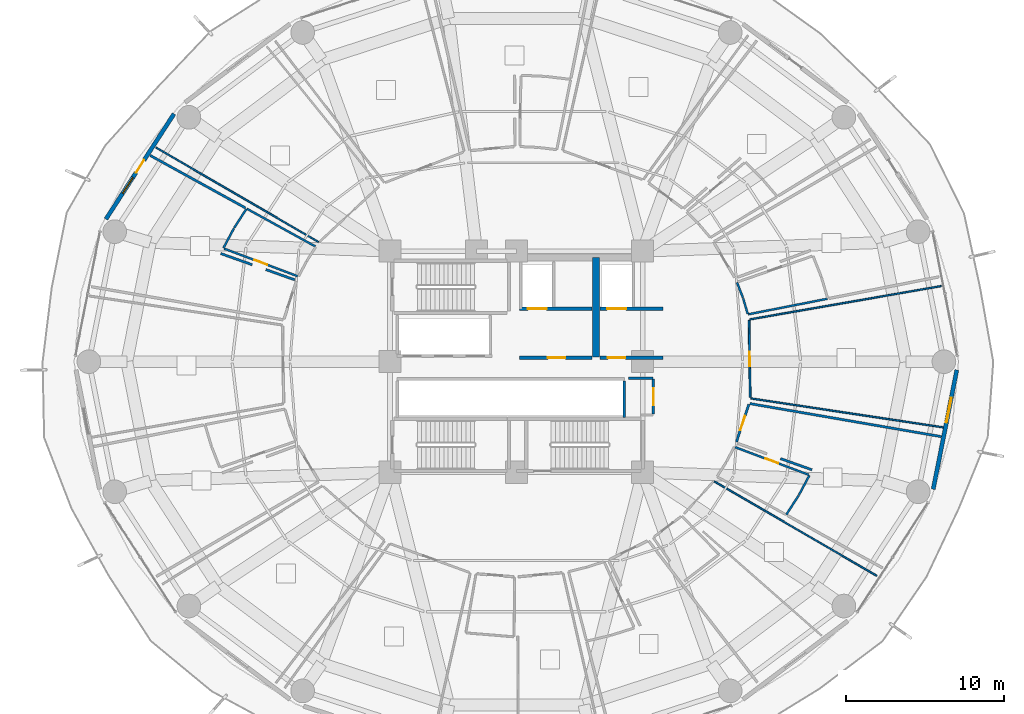
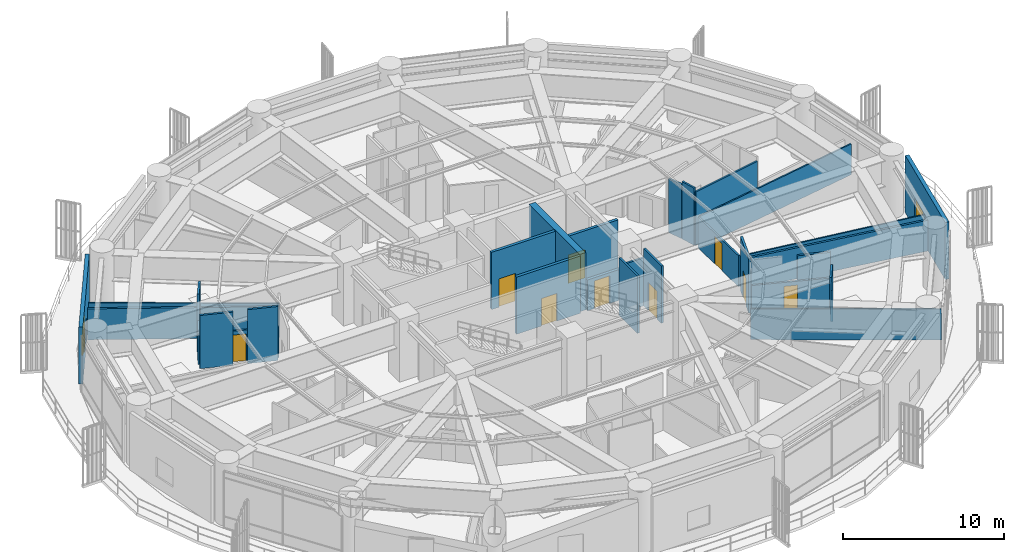
# One storey, part 23 of 31: 31 walls, 10 doors, 2 windows, 12 openings.
"""IFC4 building model written with IfcOpenShell, lengths in metres."""

from ifc_helpers import new_model, si_unit, direction, frame, frame_2d, origin, place, context, subcontext, project, spatial, rectangle, extrude, material, layer, layer_set, type_object, element, fill, save


model = new_model("IFC4")

# Units and contexts
model_context = context("Model", 3, precision=1e-05, world=origin(), true_north=direction((0.0, 1.0)))
body_context = subcontext(model_context, "Body", "Model", "MODEL_VIEW")
ifc_project = project(units=[si_unit("LENGTHUNIT", "METRE"), si_unit("AREAUNIT", "SQUARE_METRE"), si_unit("VOLUMEUNIT", "CUBIC_METRE"), si_unit("PLANEANGLEUNIT", "RADIAN"), si_unit("MASSUNIT", "GRAM", prefix="KILO")], contexts=[model_context])

# Site, building, storey
site_placement = place(None, origin())
site = spatial("IfcSite", under=ifc_project, at=site_placement, CompositionType="ELEMENT")
building_placement = place(site_placement, origin())
building = spatial("IfcBuilding", under=site, at=building_placement, Name="Kelanora Arch Commons", CompositionType="ELEMENT")
storey_placement = place(building_placement, frame((0.0, 0.0, 67.5)))
storey = spatial("IfcBuildingStorey", under=building, at=storey_placement, Name="L17", CompositionType="ELEMENT", Elevation=67.5)

# Wall
ifc_material_1 = material(Name="Autoclaved aerated concrete blockwork with fire plaster", Category="masonry")
ifc_layer_1 = layer(ifc_material_1, 0.14990234375)
ifc_layer_set_1 = layer_set([ifc_layer_1], Name="Autoclaved aerated concrete blockwork with fire plaster")
wall_type_1 = type_object("IfcWallType", Name="W-COMP-150", PredefinedType="PARTITIONING", material=ifc_layer_set_1)
wall_1_placement = place(storey_placement, frame((80.840087890625, 54.47998046875, 0.0), z_axis=(0.0, 0.0, 1.0), x_axis=(0.0, 1.0, 0.0)))
element("IfcWall", 1, at=wall_1_placement, inside=storey, type_object=wall_type_1, Name="South Lift Bank East Wall L17", PredefinedType="PARTITIONING", context=body_context, shape_type="SweptSolid", body=[
    extrude(rectangle(XDim=2.2900390625, YDim=0.14990234375, at=frame_2d((1.14501953125, 0.0))), origin(), (0.0, 0.0, 1.0), 4.35009765625),
])

# Wall, opening, door
wall_2_placement = place(storey_placement, frame((82.679931640625, 54.679931640625, 0.0), z_axis=(0.0, 0.0, 1.0), x_axis=(0.0, 1.0, 0.0)))
wall_2 = element("IfcWall", 2, at=wall_2_placement, inside=storey, type_object=wall_type_1, Name="Core Housekeeping Store L17 Entry Partition", PredefinedType="PARTITIONING", context=body_context, shape_type="SweptSolid", body=[
    extrude(rectangle(XDim=2.2099609375, YDim=0.14990234375, at=frame_2d((1.10498046875, 0.0))), origin(), (0.0, 0.0, 1.0), 4.35009765625),
])
opening_1_placement = place(wall_2_placement, frame((0.56494140625, 0.0, 0.0)))
opening_1 = element("IfcOpeningElement", 3, at=opening_1_placement, cuts=wall_2, Name="Opening D-PLT1", PredefinedType="OPENING", context=body_context, shape_type="SweptSolid", body=[
    extrude(rectangle(XDim=1.080078125, YDim=2.10009765625, at=frame_2d((0.5400390625, 1.050048828125))), frame((0.0, 0.0849609375, 0.0), z_axis=(0.0, -1.0, 0.0), x_axis=(1.0, 0.0, 0.0)), (0.0, 0.0, 1.0), 0.169921875),
])
ifc_material_2 = material(Name="Galvanised steel plant and riser fire door", Category="steel")
door_type_1 = type_object("IfcDoorType", Name="D-PLT-110", OperationType="NOTDEFINED", PredefinedType="DOOR", material=ifc_material_2)
door_1_placement = place(opening_1_placement, origin())
door_1 = element("IfcDoor", 4, at=door_1_placement, inside=storey, type_object=door_type_1, Name="Core Housekeeping Store L17 Door", OperationType="SINGLE_SWING_LEFT", OverallHeight=2.10009765625, OverallWidth=1.080078125, PredefinedType="DOOR", context=body_context, shape_type="SweptSolid", body=[
    extrude(rectangle(XDim=1.080078125, YDim=2.10009765625, at=frame_2d((0.5400390625, 1.050048828125))), frame((0.0, 0.02490234375, 0.0), z_axis=(0.0, -1.0, 0.0), x_axis=(1.0, 0.0, 0.0)), (0.0, 0.0, 1.0), 0.050048828125),
])
fill(opening_1, door_1)

wall_3_placement = place(storey_placement, frame((87.937744140625, 52.9150390625, 0.0), z_axis=(0.0, 0.0, 1.0), x_axis=(0.313977919329, 0.949430285052, 0.0)))
wall_3 = element("IfcWall", 5, at=wall_3_placement, inside=storey, type_object=wall_type_1, Name="Co-Living Studio L17-15 Entry Partition", PredefinedType="PARTITIONING", context=body_context, shape_type="SweptSolid", body=[
    extrude(rectangle(XDim=2.507568359375, YDim=0.14990234375, at=frame_2d((1.25390625, 0.0))), origin(), (0.0, 0.0, 1.0), 4.10498046875),
])
opening_2_placement = place(wall_3_placement, frame((0.779052734375, 0.0, 0.0)))
opening_2 = element("IfcOpeningElement", 6, at=opening_2_placement, cuts=wall_3, Name="Opening D-CLU1", PredefinedType="OPENING", context=body_context, shape_type="SweptSolid", body=[
    extrude(rectangle(XDim=0.949951171875, YDim=2.080078125, at=frame_2d((0.47509765625, 1.0400390625))), frame((0.0, 0.0849609375, 0.0), z_axis=(0.0, -1.0, 0.0), x_axis=(1.0, 0.0, 0.0)), (0.0, 0.0, 1.0), 0.169921875),
])
ifc_material_3 = material(Name="Solid-core acoustic timber cluster entry fire door", Category="wood")
door_type_2 = type_object("IfcDoorType", Name="D-CLU-95", OperationType="NOTDEFINED", PredefinedType="DOOR", material=ifc_material_3)
door_2_placement = place(opening_2_placement, origin())
door_2 = element("IfcDoor", 7, at=door_2_placement, inside=storey, type_object=door_type_2, Name="Co-Living Studio L17-15 Door", OperationType="SINGLE_SWING_LEFT", OverallHeight=2.080078125, OverallWidth=0.949951171875, PredefinedType="DOOR", context=body_context, shape_type="SweptSolid", body=[
    extrude(rectangle(XDim=0.949951171875, YDim=2.080078125, at=frame_2d((0.47509765625, 1.0400390625))), frame((0.0, 0.02490234375, 0.0), z_axis=(0.0, -1.0, 0.0), x_axis=(1.0, 0.0, 0.0)), (0.0, 0.0, 1.0), 0.050048828125),
])
fill(opening_2, door_2)

# Walls
wall_4_placement = place(storey_placement, frame((82.639892578125, 56.949951171875, 0.0), z_axis=(0.0, 0.0, 1.0), x_axis=(-1.0, 0.0, 0.0)))
element("IfcWall", 8, at=wall_4_placement, inside=storey, type_object=wall_type_1, Name="Core Housekeeping Store L17 Enclosure Partition 3", PredefinedType="PARTITIONING", context=body_context, shape_type="SweptSolid", body=[
    extrude(rectangle(XDim=1.5498046875, YDim=0.14990234375, at=frame_2d((0.77490234375, 0.0))), origin(), (0.0, 0.0, 1.0), 3.64501953125),
])
wall_5_placement = place(storey_placement, frame((50.806884765625, 71.061767578125, 0.0), z_axis=(0.0, 0.0, 1.0), x_axis=(0.875868518132, -0.482549830531, 0.0)))
element("IfcWall", 9, at=wall_5_placement, inside=storey, type_object=wall_type_1, Name="Co-Living Studio L17-07 Enclosure Partition 5", PredefinedType="PARTITIONING", context=body_context, shape_type="SweptSolid", body=[
    extrude(rectangle(XDim=6.889404296875, YDim=0.14990234375, at=frame_2d((3.44482421875, 0.0))), origin(), (0.0, 0.0, 1.0), 2.344970703125),
])
wall_6_placement = place(storey_placement, frame((55.275634765625, 64.8486328125, 0.0), z_axis=(0.0, 0.0, 1.0), x_axis=(0.942346688621, -0.334638190357, 0.0)))
element("IfcWall", 10, at=wall_6_placement, inside=storey, type_object=wall_type_1, Name="Co-Living Studio L17-07 Enclosure Partition 7", PredefinedType="PARTITIONING", context=body_context, shape_type="SweptSolid", body=[
    extrude(rectangle(XDim=2.113525390625, YDim=0.14990234375, at=frame_2d((1.056640625, 0.0))), origin(), (0.0, 0.0, 1.0), 4.044921875),
])
wall_7_placement = place(storey_placement, frame((58.134521484375, 63.833251953125, 0.0), z_axis=(0.0, 0.0, 1.0), x_axis=(0.942335197554, -0.334670547629, 0.0)))
element("IfcWall", 11, at=wall_7_placement, inside=storey, type_object=wall_type_1, Name="Co-Living Studio L17-07 Enclosure Partition 7", PredefinedType="PARTITIONING", context=body_context, shape_type="SweptSolid", body=[
    extrude(rectangle(XDim=1.931640625, YDim=0.14990234375, at=frame_2d((0.9658203125, 0.0))), origin(), (0.0, 0.0, 1.0), 4.10498046875),
])
wall_8_placement = place(storey_placement, frame((88.783447265625, 55.34619140625, 0.0), z_axis=(0.0, 0.0, 1.0), x_axis=(0.985427357527, -0.170096804898, 0.0)))
element("IfcWall", 12, at=wall_8_placement, inside=storey, type_object=wall_type_1, Name="Co-Living Studio L17-15 Enclosure Partition 2", PredefinedType="PARTITIONING", context=body_context, shape_type="SweptSolid", body=[
    extrude(rectangle(XDim=12.3134765625, YDim=0.14990234375, at=frame_2d((6.15673828125, 0.0))), origin(), (0.0, 0.0, 1.0), 2.344970703125),
])
wall_9_placement = place(storey_placement, frame((92.724365234375, 51.1513671875, 0.0), z_axis=(0.0, 0.0, 1.0), x_axis=(-0.942346688621, 0.334638190357, 0.0)))
element("IfcWall", 13, at=wall_9_placement, inside=storey, type_object=wall_type_1, Name="Co-Living Studio L17-15 Enclosure Partition 7", PredefinedType="PARTITIONING", context=body_context, shape_type="SweptSolid", body=[
    extrude(rectangle(XDim=2.113525390625, YDim=0.14990234375, at=frame_2d((1.056640625, 0.0))), origin(), (0.0, 0.0, 1.0), 4.044921875),
])
ifc_material_4 = material(Name="Concrete C60/75", Category="concrete")
ifc_layer_2 = layer(ifc_material_4, 0.449951171875)
ifc_layer_set_2 = layer_set([ifc_layer_2], Name="Concrete C60/75")
wall_type_2 = type_object("IfcWallType", Name="W-CORE-450", PredefinedType="SHEAR", material=ifc_layer_set_2)
wall_10_placement = place(storey_placement, frame((79.050048828125, 58.300048828125, 0.0), z_axis=(0.0, 0.0, 1.0), x_axis=(0.0, 1.0, 0.0)))
element("IfcWall", 14, at=wall_10_placement, inside=storey, type_object=wall_type_2, Name="Core Shear Spine L17-CE-N", PredefinedType="SHEAR", context=body_context, shape_type="SweptSolid", body=[
    extrude(rectangle(XDim=6.300048828125, YDim=0.449951171875, at=frame_2d((3.14990234375, 0.0))), origin(), (0.0, 0.0, 1.0), 4.360107421875),
])

# Wall, openings, door, window
ifc_material_5 = material(Name="Precast concrete C40/50 with terracotta rainscreen", Category="masonry")
ifc_layer_3 = layer(ifc_material_5, 0.260009765625)
ifc_layer_set_3 = layer_set([ifc_layer_3], Name="Precast concrete C40/50 with terracotta rainscreen")
wall_type_3 = type_object("IfcWallType", Name="W-EXT-TC", PredefinedType="SOLIDWALL", material=ifc_layer_set_3)
wall_11_placement = place(storey_placement, frame((52.310791015625, 73.698486328125, 0.0), z_axis=(0.0, 0.0, 1.0), x_axis=(-0.543005114258, -0.839729388488, 0.0)))
wall_11 = element("IfcWall", 15, at=wall_11_placement, inside=storey, type_object=wall_type_3, Name="Terracotta Exterior Wall L17-B07", PredefinedType="SOLIDWALL", context=body_context, shape_type="SweptSolid", body=[
    extrude(rectangle(XDim=7.9375, YDim=0.260009765625, at=frame_2d((3.96875, 0.0))), origin(), (0.0, 0.0, 1.0), 4.344970703125),
])
opening_3_placement = place(wall_11_placement, frame((3.493896484375, 0.0, 0.0)))
opening_3 = element("IfcOpeningElement", 16, at=opening_3_placement, cuts=wall_11, Name="Opening DB-01", PredefinedType="OPENING", context=body_context, shape_type="SweptSolid", body=[
    extrude(rectangle(XDim=0.949951171875, YDim=2.10009765625, at=frame_2d((0.47509765625, 1.050048828125))), frame((0.0, 0.14013671875, 0.0), z_axis=(0.0, -1.0, 0.0), x_axis=(1.0, 0.0, 0.0)), (0.0, 0.0, 1.0), 0.280029296875),
])
opening_4_placement = place(wall_11_placement, frame((4.7939453125, 0.0, 0.85009765625)))
opening_4 = element("IfcOpeningElement", 17, at=opening_4_placement, cuts=wall_11, Name="Opening WN-02", PredefinedType="OPENING", context=body_context, shape_type="SweptSolid", body=[
    extrude(rectangle(XDim=1.199951171875, YDim=1.449951171875, at=frame_2d((0.60009765625, 0.72509765625))), frame((0.0, 0.14013671875, 0.0), z_axis=(0.0, -1.0, 0.0), x_axis=(1.0, 0.0, 0.0)), (0.0, 0.0, 1.0), 0.280029296875),
])
ifc_material_6 = material(Name="Terracotta-aluminium thermally broken glazed balcony door", Category="masonry")
door_type_3 = type_object("IfcDoorType", Name="D-BAL-10", OperationType="NOTDEFINED", PredefinedType="DOOR", material=ifc_material_6)
door_3_placement = place(opening_3_placement, frame((0.949951171875, 0.0, 0.0), z_axis=(0.0, 0.0, 1.0), x_axis=(-1.0, 0.0, 0.0)))
door_3 = element("IfcDoor", 18, at=door_3_placement, inside=storey, type_object=door_type_3, Name="Wave Balcony Door L17-B07", OperationType="SINGLE_SWING_LEFT", OverallHeight=2.10009765625, OverallWidth=0.949951171875, PredefinedType="DOOR", context=body_context, shape_type="SweptSolid", body=[
    extrude(rectangle(XDim=0.949951171875, YDim=2.10009765625, at=frame_2d((0.47509765625, 1.050048828125))), frame((0.0, 0.02490234375, 0.0), z_axis=(0.0, -1.0, 0.0), x_axis=(1.0, 0.0, 0.0)), (0.0, 0.0, 1.0), 0.050048828125),
])
fill(opening_3, door_3)
ifc_material_7 = material(Name="Terracotta-anodised aluminium frame with operable awning sash", Category="masonry")
window_type_1 = type_object("IfcWindowType", Name="WIN-CL-12", PartitioningType="SINGLE_PANEL", PredefinedType="WINDOW", material=ifc_material_7)
window_1_placement = place(opening_4_placement, origin())
window_1 = element("IfcWindow", 19, at=window_1_placement, inside=storey, type_object=window_type_1, Name="Co-Living Operable Window L17-B07", OverallHeight=1.449951171875, OverallWidth=1.199951171875, PartitioningType="SINGLE_PANEL", PredefinedType="WINDOW", context=body_context, shape_type="SweptSolid", body=[
    extrude(rectangle(XDim=1.199951171875, YDim=1.449951171875, at=frame_2d((0.60009765625, 0.72509765625))), frame((0.0, 0.030029296875, 0.0), z_axis=(0.0, -1.0, 0.0), x_axis=(1.0, 0.0, 0.0)), (0.0, 0.0, 1.0), 0.06005859375),
])
fill(opening_4, window_1)

# Wall, opening, window
wall_12_placement = place(storey_placement, frame((100.404296875, 49.919921875, 0.0), z_axis=(0.0, 0.0, 1.0), x_axis=(0.193726159581, 0.98105564322, 0.0)))
wall_12 = element("IfcWall", 20, at=wall_12_placement, inside=storey, type_object=wall_type_3, Name="Terracotta Exterior Wall L17-B17", PredefinedType="SOLIDWALL", context=body_context, shape_type="SweptSolid", body=[
    extrude(rectangle(XDim=7.70263671875, YDim=0.260009765625, at=frame_2d((3.851318359375, 0.0))), origin(), (0.0, 0.0, 1.0), 4.344970703125),
])
opening_5_placement = place(wall_12_placement, frame((4.31103515625, 0.0, 0.85009765625)))
opening_5 = element("IfcOpeningElement", 21, at=opening_5_placement, cuts=wall_12, Name="Opening WN-01", PredefinedType="OPENING", context=body_context, shape_type="SweptSolid", body=[
    extrude(rectangle(XDim=1.60009765625, YDim=1.449951171875, at=frame_2d((0.800048828125, 0.72509765625))), frame((0.0, 0.14013671875, 0.0), z_axis=(0.0, -1.0, 0.0), x_axis=(1.0, 0.0, 0.0)), (0.0, 0.0, 1.0), 0.280029296875),
])
ifc_material_8 = material(Name="Terracotta-anodised aluminium frame with operable low-E glazing", Category="masonry")
window_type_2 = type_object("IfcWindowType", Name="WIN-CL-18", PartitioningType="DOUBLE_PANEL_VERTICAL", PredefinedType="WINDOW", material=ifc_material_8)
window_2_placement = place(opening_5_placement, origin())
window_2 = element("IfcWindow", 22, at=window_2_placement, inside=storey, type_object=window_type_2, Name="Co-Living Operable Window L17-B17", OverallHeight=1.449951171875, OverallWidth=1.60009765625, PartitioningType="SINGLE_PANEL", PredefinedType="WINDOW", context=body_context, shape_type="SweptSolid", body=[
    extrude(rectangle(XDim=1.60009765625, YDim=1.449951171875, at=frame_2d((0.800048828125, 0.72509765625))), frame((0.0, 0.030029296875, 0.0), z_axis=(0.0, -1.0, 0.0), x_axis=(1.0, 0.0, 0.0)), (0.0, 0.0, 1.0), 0.06005859375),
])
fill(opening_5, window_2)

# Wall, opening, door
ifc_material_9 = material(Name="Concrete C40/50", Category="concrete")
ifc_layer_4 = layer(ifc_material_9, 0.199951171875)
ifc_layer_set_4 = layer_set([ifc_layer_4], Name="Concrete C40/50")
wall_type_4 = type_object("IfcWallType", Name="W-FFL-200", PredefinedType="SOLIDWALL", material=ifc_layer_set_4)
wall_13_placement = place(storey_placement, frame((74.199951171875, 61.35009765625, 0.0), z_axis=(0.0, 0.0, 1.0), x_axis=(1.0, 0.0, 0.0)))
wall_13 = element("IfcWall", 23, at=wall_13_placement, inside=storey, type_object=wall_type_4, Name="Firefighting Lift 1 Shaft Front L17", PredefinedType="SOLIDWALL", context=body_context, shape_type="SweptSolid", body=[
    extrude(rectangle(XDim=4.60009765625, YDim=0.199951171875, at=frame_2d((2.300048828125, 0.0))), origin(), (0.0, 0.0, 1.0), 4.35009765625),
])
opening_6_placement = place(wall_13_placement, frame((0.52001953125, 0.0, 0.0)))
opening_6 = element("IfcOpeningElement", 24, at=opening_6_placement, cuts=wall_13, Name="Opening LD-FF", PredefinedType="OPENING", context=body_context, shape_type="SweptSolid", body=[
    extrude(rectangle(XDim=1.199951171875, YDim=2.14990234375, at=frame_2d((0.60009765625, 1.074951171875))), frame((0.0, 0.10986328125, 0.0), z_axis=(0.0, -1.0, 0.0), x_axis=(1.0, 0.0, 0.0)), (0.0, 0.0, 1.0), 0.219970703125),
])
ifc_material_10 = material(Name="Fire-rated firefighters lift sliding landing door")
door_type_4 = type_object("IfcDoorType", Name="D-LIFT-FF", OperationType="NOTDEFINED", PredefinedType="DOOR", material=ifc_material_10)
door_4_placement = place(opening_6_placement, origin())
door_4 = element("IfcDoor", 25, at=door_4_placement, inside=storey, type_object=door_type_4, Name="Firefighting Lift LF-FF1 Landing Door L17", OperationType="DOUBLE_DOOR_SLIDING", OverallHeight=2.14990234375, OverallWidth=1.199951171875, PredefinedType="DOOR", context=body_context, shape_type="SweptSolid", body=[
    extrude(rectangle(XDim=1.199951171875, YDim=2.14990234375, at=frame_2d((0.60009765625, 1.074951171875))), frame((0.0, 0.02490234375, 0.0), z_axis=(0.0, -1.0, 0.0), x_axis=(1.0, 0.0, 0.0)), (0.0, 0.0, 1.0), 0.050048828125),
])
fill(opening_6, door_4)

wall_14_placement = place(storey_placement, frame((79.300048828125, 61.35009765625, 0.0), z_axis=(0.0, 0.0, 1.0), x_axis=(1.0, 0.0, 0.0)))
wall_14 = element("IfcWall", 26, at=wall_14_placement, inside=storey, type_object=wall_type_4, Name="Firefighting Lift 2 Shaft Front L17", PredefinedType="SOLIDWALL", context=body_context, shape_type="SweptSolid", body=[
    extrude(rectangle(XDim=4.0, YDim=0.199951171875, at=frame_2d((2.0, 0.0))), origin(), (0.0, 0.0, 1.0), 3.64501953125),
])
opening_7_placement = place(wall_14_placement, frame((0.449951171875, 0.0, 0.0)))
opening_7 = element("IfcOpeningElement", 27, at=opening_7_placement, cuts=wall_14, Name="Opening LD-FF", PredefinedType="OPENING", context=body_context, shape_type="SweptSolid", body=[
    extrude(rectangle(XDim=1.199951171875, YDim=2.14990234375, at=frame_2d((0.60009765625, 1.074951171875))), frame((0.0, 0.10986328125, 0.0), z_axis=(0.0, -1.0, 0.0), x_axis=(1.0, 0.0, 0.0)), (0.0, 0.0, 1.0), 0.219970703125),
])
door_5_placement = place(opening_7_placement, origin())
door_5 = element("IfcDoor", 28, at=door_5_placement, inside=storey, type_object=door_type_4, Name="Firefighting Lift LF-FF2 Landing Door L17", OperationType="DOUBLE_DOOR_SLIDING", OverallHeight=2.14990234375, OverallWidth=1.199951171875, PredefinedType="DOOR", context=body_context, shape_type="SweptSolid", body=[
    extrude(rectangle(XDim=1.199951171875, YDim=2.14990234375, at=frame_2d((0.60009765625, 1.074951171875))), frame((0.0, 0.02490234375, 0.0), z_axis=(0.0, -1.0, 0.0), x_axis=(1.0, 0.0, 0.0)), (0.0, 0.0, 1.0), 0.050048828125),
])
fill(opening_7, door_5)

wall_15_placement = place(storey_placement, frame((74.199951171875, 58.25, 0.0), z_axis=(0.0, 0.0, 1.0), x_axis=(1.0, 0.0, 0.0)))
wall_15 = element("IfcWall", 29, at=wall_15_placement, inside=storey, type_object=wall_type_4, Name="Firefighting Lobby 1 Enclosure Wall L17", PredefinedType="SOLIDWALL", context=body_context, shape_type="SweptSolid", body=[
    extrude(rectangle(XDim=4.60009765625, YDim=0.199951171875, at=frame_2d((2.300048828125, 0.0))), origin(), (0.0, 0.0, 1.0), 4.35009765625),
])
opening_8_placement = place(wall_15_placement, frame((1.800048828125, 0.0, 0.0)))
opening_8 = element("IfcOpeningElement", 30, at=opening_8_placement, cuts=wall_15, Name="Opening D-FFL1", PredefinedType="OPENING", context=body_context, shape_type="SweptSolid", body=[
    extrude(rectangle(XDim=1.10009765625, YDim=2.10009765625, at=frame_2d((0.550048828125, 1.050048828125))), frame((0.0, 0.10986328125, 0.0), z_axis=(0.0, -1.0, 0.0), x_axis=(1.0, 0.0, 0.0)), (0.0, 0.0, 1.0), 0.219970703125),
])
ifc_material_11 = material(Name="Smoke-sealed firefighting lobby fire door")
door_type_5 = type_object("IfcDoorType", Name="D-FFL-110", OperationType="NOTDEFINED", PredefinedType="DOOR", material=ifc_material_11)
door_6_placement = place(opening_8_placement, frame((1.10009765625, 0.0, 0.0), z_axis=(0.0, 0.0, 1.0), x_axis=(-1.0, 0.0, 0.0)))
door_6 = element("IfcDoor", 31, at=door_6_placement, inside=storey, type_object=door_type_5, Name="Firefighting Lobby 1 Door L17", OperationType="SINGLE_SWING_LEFT", OverallHeight=2.10009765625, OverallWidth=1.10009765625, PredefinedType="DOOR", context=body_context, shape_type="SweptSolid", body=[
    extrude(rectangle(XDim=1.10009765625, YDim=2.10009765625, at=frame_2d((0.550048828125, 1.050048828125))), frame((0.0, 0.02490234375, 0.0), z_axis=(0.0, -1.0, 0.0), x_axis=(1.0, 0.0, 0.0)), (0.0, 0.0, 1.0), 0.050048828125),
])
fill(opening_8, door_6)

wall_16_placement = place(storey_placement, frame((79.300048828125, 58.25, 0.0), z_axis=(0.0, 0.0, 1.0), x_axis=(1.0, 0.0, 0.0)))
wall_16 = element("IfcWall", 32, at=wall_16_placement, inside=storey, type_object=wall_type_4, Name="Firefighting Lobby 2 Enclosure Wall L17", PredefinedType="SOLIDWALL", context=body_context, shape_type="SweptSolid", body=[
    extrude(rectangle(XDim=4.0, YDim=0.199951171875, at=frame_2d((2.0, 0.0))), origin(), (0.0, 0.0, 1.0), 2.344970703125),
])
opening_9_placement = place(wall_16_placement, frame((0.5, 0.0, 0.0)))
opening_9 = element("IfcOpeningElement", 33, at=opening_9_placement, cuts=wall_16, Name="Opening D-FFL1", PredefinedType="OPENING", context=body_context, shape_type="SweptSolid", body=[
    extrude(rectangle(XDim=1.10009765625, YDim=2.10009765625, at=frame_2d((0.550048828125, 1.050048828125))), frame((0.0, 0.10986328125, 0.0), z_axis=(0.0, -1.0, 0.0), x_axis=(1.0, 0.0, 0.0)), (0.0, 0.0, 1.0), 0.219970703125),
])
door_7_placement = place(opening_9_placement, frame((1.10009765625, 0.0, 0.0), z_axis=(0.0, 0.0, 1.0), x_axis=(-1.0, 0.0, 0.0)))
door_7 = element("IfcDoor", 34, at=door_7_placement, inside=storey, type_object=door_type_5, Name="Firefighting Lobby 2 Door L17", OperationType="SINGLE_SWING_RIGHT", OverallHeight=2.10009765625, OverallWidth=1.10009765625, PredefinedType="DOOR", context=body_context, shape_type="SweptSolid", body=[
    extrude(rectangle(XDim=1.10009765625, YDim=2.10009765625, at=frame_2d((0.550048828125, 1.050048828125))), frame((0.0, 0.02490234375, 0.0), z_axis=(0.0, -1.0, 0.0), x_axis=(1.0, 0.0, 0.0)), (0.0, 0.0, 1.0), 0.050048828125),
])
fill(opening_9, door_7)

# Walls
ifc_material_12 = material(Name="Lightweight fire-rated acoustic stud partition")
ifc_layer_5 = layer(ifc_material_12, 0.10009765625)
ifc_layer_set_5 = layer_set([ifc_layer_5], Name="Lightweight fire-rated acoustic stud partition")
wall_type_5 = type_object("IfcWallType", Name="W-PART-100", PredefinedType="PARTITIONING", material=ifc_layer_set_5)
for number, where, z_axis, x_axis, name in (
    (35, (61.46142578125, 65.5830078125, 0.0), (0.0, 0.0, 1.0), (-0.864576212426, 0.502501714333, 0.0), "Quiet Seminar Study Room L17-06 Enclosure Partition 2"),
    (36, (86.53857421875, 50.4169921875, 0.0), (0.0, 0.0, 1.0), (0.864576212426, -0.502501714333, 0.0), "Tutorial Study Alcove L17-14 Enclosure Partition 2"),
):
    element("IfcWall", number, at=place(storey_placement, frame(where, z_axis=z_axis, x_axis=x_axis)), inside=storey, type_object=wall_type_5, Name=name, PredefinedType="PARTITIONING", context=body_context, shape_type="SweptSolid", body=[
        extrude(rectangle(XDim=11.900390625, YDim=0.10009765625, at=frame_2d((5.9501953125, 0.0))), origin(), (0.0, 0.0, 1.0), 2.344970703125),
    ])
wall_17_placement = place(storey_placement, frame((88.7783203125, 60.677978515625, 0.0), z_axis=(0.0, 0.0, 1.0), x_axis=(0.985176076522, 0.171546198583, 0.0)))
element("IfcWall", 37, at=wall_17_placement, inside=storey, type_object=wall_type_5, Name="Social Sky Lounge L17-16 Enclosure Partition 2", PredefinedType="PARTITIONING", context=body_context, shape_type="SweptSolid", body=[
    extrude(rectangle(XDim=12.31201171875, YDim=0.10009765625, at=frame_2d((6.156005859375, 0.0))), origin(), (0.0, 0.0, 1.0), 2.344970703125),
])
wall_18_placement = place(storey_placement, frame((101.039306640625, 53.839111328125, 0.0), z_axis=(0.0, 0.0, 1.0), x_axis=(-0.988857033015, 0.14886829164, 0.0)))
element("IfcWall", 38, at=wall_18_placement, inside=storey, type_object=wall_type_5, Name="Social Sky Lounge L17-16 Enclosure Partition 4", PredefinedType="PARTITIONING", context=body_context, shape_type="SweptSolid", body=[
    extrude(rectangle(XDim=12.326171875, YDim=0.10009765625, at=frame_2d((6.1630859375, 0.0))), origin(), (0.0, 0.0, 1.0), 2.344970703125),
])

# Wall, opening, door
ifc_material_13 = material(Name="Acoustic twin-stud fire-rated gypsum partition")
ifc_layer_6 = layer(ifc_material_13, 0.1201171875)
ifc_layer_set_6 = layer_set([ifc_layer_6], Name="Acoustic twin-stud fire-rated gypsum partition")
wall_type_6 = type_object("IfcWallType", Name="W-PART-120", PredefinedType="PARTITIONING", material=ifc_layer_set_6)
wall_19_placement = place(storey_placement, frame((88.81005859375, 55.739990234375, 0.0), z_axis=(0.0, 0.0, 1.0), x_axis=(-0.014383034903, 0.999896558803, 0.0)))
wall_19 = element("IfcWall", 39, at=wall_19_placement, inside=storey, type_object=wall_type_6, Name="Social Sky Lounge L17-16 Entry Partition", PredefinedType="PARTITIONING", context=body_context, shape_type="SweptSolid", body=[
    extrude(rectangle(XDim=4.87158203125, YDim=0.1201171875, at=frame_2d((2.435791015625, 0.0))), origin(), (0.0, 0.0, 1.0), 2.344970703125),
])
opening_10_placement = place(wall_19_placement, frame((1.986083984375, 0.0, 0.0)))
opening_10 = element("IfcOpeningElement", 40, at=opening_10_placement, cuts=wall_19, Name="Opening D-RM1", PredefinedType="OPENING", context=body_context, shape_type="SweptSolid", body=[
    extrude(rectangle(XDim=0.89990234375, YDim=2.080078125, at=frame_2d((0.449951171875, 1.0400390625))), frame((0.0, 0.070068359375, 0.0), z_axis=(0.0, -1.0, 0.0), x_axis=(1.0, 0.0, 0.0)), (0.0, 0.0, 1.0), 0.14013671875),
])
ifc_material_14 = material(Name="Acoustic fire-rated timber study and lounge door", Category="wood")
door_type_6 = type_object("IfcDoorType", Name="D-ROOM-90", OperationType="NOTDEFINED", PredefinedType="DOOR", material=ifc_material_14)
door_8_placement = place(opening_10_placement, origin())
door_8 = element("IfcDoor", 41, at=door_8_placement, inside=storey, type_object=door_type_6, Name="Social Sky Lounge L17-16 Door", OperationType="SINGLE_SWING_RIGHT", OverallHeight=2.080078125, OverallWidth=0.89990234375, PredefinedType="DOOR", context=body_context, shape_type="SweptSolid", body=[
    extrude(rectangle(XDim=0.89990234375, YDim=2.080078125, at=frame_2d((0.449951171875, 1.0400390625))), frame((0.0, 0.02490234375, 0.0), z_axis=(0.0, -1.0, 0.0), x_axis=(1.0, 0.0, 0.0)), (0.0, 0.0, 1.0), 0.050048828125),
])
fill(opening_10, door_8)

ifc_material_15 = material(Name="Moisture-resistant fire-rated cement-board plumbing wall")
ifc_layer_7 = layer(ifc_material_15, 0.1298828125)
ifc_layer_set_7 = layer_set([ifc_layer_7], Name="Moisture-resistant fire-rated cement-board plumbing wall")
wall_type_7 = type_object("IfcWallType", Name="W-WET-120", PredefinedType="PLUMBINGWALL", material=ifc_layer_set_7)
wall_20_placement = place(storey_placement, frame((60.140869140625, 63.416015625, 0.0), z_axis=(0.0, 0.0, 1.0), x_axis=(-0.93625445313, 0.351322642301, 0.0)))
wall_20 = element("IfcWall", 42, at=wall_20_placement, inside=storey, type_object=wall_type_7, Name="En-Suite Shower WC L17-07 Entry Partition", PredefinedType="PLUMBINGWALL", context=body_context, shape_type="SweptSolid", body=[
    extrude(rectangle(XDim=4.969482421875, YDim=0.1298828125, at=frame_2d((2.48486328125, 0.0))), origin(), (0.0, 0.0, 1.0), 2.344970703125),
])
opening_11_placement = place(wall_20_placement, frame((2.054931640625, 0.0, 0.0)))
opening_11 = element("IfcOpeningElement", 43, at=opening_11_placement, cuts=wall_20, Name="Opening D-BT1", PredefinedType="OPENING", context=body_context, shape_type="SweptSolid", body=[
    extrude(rectangle(XDim=0.860107421875, YDim=2.050048828125, at=frame_2d((0.43017578125, 1.02490234375))), frame((0.0, 0.074951171875, 0.0), z_axis=(0.0, -1.0, 0.0), x_axis=(1.0, 0.0, 0.0)), (0.0, 0.0, 1.0), 0.14990234375),
])
ifc_material_16 = material(Name="Moisture-sealed fire-rated accessible bathroom door")
door_type_7 = type_object("IfcDoorType", Name="D-BATH-85", OperationType="NOTDEFINED", PredefinedType="DOOR", material=ifc_material_16)
door_9_placement = place(opening_11_placement, origin())
door_9 = element("IfcDoor", 44, at=door_9_placement, inside=storey, type_object=door_type_7, Name="En-Suite Shower WC L17-07 Door", OperationType="SINGLE_SWING_LEFT", OverallHeight=2.050048828125, OverallWidth=0.860107421875, PredefinedType="DOOR", context=body_context, shape_type="SweptSolid", body=[
    extrude(rectangle(XDim=0.860107421875, YDim=2.050048828125, at=frame_2d((0.43017578125, 1.02490234375))), frame((0.0, 0.02490234375, 0.0), z_axis=(0.0, -1.0, 0.0), x_axis=(1.0, 0.0, 0.0)), (0.0, 0.0, 1.0), 0.050048828125),
])
fill(opening_11, door_9)

wall_21_placement = place(storey_placement, frame((87.859130859375, 52.583984375, 0.0), z_axis=(0.0, 0.0, 1.0), x_axis=(0.93625445313, -0.351322642301, 0.0)))
wall_21 = element("IfcWall", 45, at=wall_21_placement, inside=storey, type_object=wall_type_7, Name="En-Suite Shower WC L17-15 Entry Partition", PredefinedType="PLUMBINGWALL", context=body_context, shape_type="SweptSolid", body=[
    extrude(rectangle(XDim=4.969482421875, YDim=0.1298828125, at=frame_2d((2.48486328125, 0.0))), origin(), (0.0, 0.0, 1.0), 2.344970703125),
])
opening_12_placement = place(wall_21_placement, frame((2.054931640625, 0.0, 0.0)))
opening_12 = element("IfcOpeningElement", 46, at=opening_12_placement, cuts=wall_21, Name="Opening D-BT1", PredefinedType="OPENING", context=body_context, shape_type="SweptSolid", body=[
    extrude(rectangle(XDim=0.860107421875, YDim=2.050048828125, at=frame_2d((0.43017578125, 1.02490234375))), frame((0.0, 0.074951171875, 0.0), z_axis=(0.0, -1.0, 0.0), x_axis=(1.0, 0.0, 0.0)), (0.0, 0.0, 1.0), 0.14990234375),
])
door_10_placement = place(opening_12_placement, origin())
door_10 = element("IfcDoor", 47, at=door_10_placement, inside=storey, type_object=door_type_7, Name="En-Suite Shower WC L17-15 Door", OperationType="SINGLE_SWING_RIGHT", OverallHeight=2.050048828125, OverallWidth=0.860107421875, PredefinedType="DOOR", context=body_context, shape_type="SweptSolid", body=[
    extrude(rectangle(XDim=0.860107421875, YDim=2.050048828125, at=frame_2d((0.43017578125, 1.02490234375))), frame((0.0, 0.02490234375, 0.0), z_axis=(0.0, -1.0, 0.0), x_axis=(1.0, 0.0, 0.0)), (0.0, 0.0, 1.0), 0.050048828125),
])
fill(opening_12, door_10)

# Walls
wall_22_placement = place(storey_placement, frame((88.65625, 61.01611328125, 0.0), z_axis=(0.0, 0.0, 1.0), x_axis=(-0.282370492218, 0.959305428487, 0.0)))
element("IfcWall", 48, at=wall_22_placement, inside=storey, type_object=wall_type_7, Name="En-Suite Shower WC L17-01 Enclosure Partition 1", PredefinedType="PLUMBINGWALL", context=body_context, shape_type="SweptSolid", body=[
    extrude(rectangle(XDim=1.035888671875, YDim=0.1298828125, at=frame_2d((0.51806640625, 0.0))), origin(), (0.0, 0.0, 1.0), 4.35009765625),
])
wall_23_placement = place(storey_placement, frame((88.3505859375, 62.047607421875, 0.0), z_axis=(0.0, 0.0, 1.0), x_axis=(-0.362514197989, 0.931978248811, 0.0)))
element("IfcWall", 49, at=wall_23_placement, inside=storey, type_object=wall_type_7, Name="En-Suite Shower WC L17-01 Enclosure Partition 2", PredefinedType="PLUMBINGWALL", context=body_context, shape_type="SweptSolid", body=[
    extrude(rectangle(XDim=1.04052734375, YDim=0.1298828125, at=frame_2d((0.520263671875, 0.0))), origin(), (0.0, 0.0, 1.0), 4.10498046875),
])
wall_24_placement = place(storey_placement, frame((93.704345703125, 61.986083984375, 0.0), z_axis=(0.0, 0.0, 1.0), x_axis=(-0.981295026007, -0.192509926844, 0.0)))
element("IfcWall", 50, at=wall_24_placement, inside=storey, type_object=wall_type_7, Name="En-Suite Shower WC L17-01 Enclosure Partition 6", PredefinedType="PLUMBINGWALL", context=body_context, shape_type="SweptSolid", body=[
    extrude(rectangle(XDim=5.118408203125, YDim=0.1298828125, at=frame_2d((2.55908203125, 0.0))), origin(), (0.0, 0.0, 1.0), 4.044921875),
])
wall_25_placement = place(storey_placement, frame((55.44140625, 65.20068359375, 0.0), z_axis=(0.0, 0.0, 1.0), x_axis=(0.470471737127, 0.882415063654, 0.0)))
element("IfcWall", 51, at=wall_25_placement, inside=storey, type_object=wall_type_7, Name="En-Suite Shower WC L17-07 Enclosure Partition 4", PredefinedType="PLUMBINGWALL", context=body_context, shape_type="SweptSolid", body=[
    extrude(rectangle(XDim=1.4140625, YDim=0.1298828125, at=frame_2d((0.70703125, 0.0))), origin(), (0.0, 0.0, 1.0), 2.344970703125),
])
wall_26_placement = place(storey_placement, frame((56.126708984375, 66.48291015625, 0.0), z_axis=(0.0, 0.0, 1.0), x_axis=(0.542142481081, 0.840286576239, 0.0)))
element("IfcWall", 52, at=wall_26_placement, inside=storey, type_object=wall_type_7, Name="En-Suite Shower WC L17-07 Enclosure Partition 5", PredefinedType="PLUMBINGWALL", context=body_context, shape_type="SweptSolid", body=[
    extrude(rectangle(XDim=1.4248046875, YDim=0.1298828125, at=frame_2d((0.71240234375, 0.0))), origin(), (0.0, 0.0, 1.0), 4.35009765625),
])
wall_27_placement = place(storey_placement, frame((56.927490234375, 67.6875, 0.0), z_axis=(0.0, 0.0, 1.0), x_axis=(0.87605188001, -0.48221686359, 0.0)))
element("IfcWall", 53, at=wall_27_placement, inside=storey, type_object=wall_type_7, Name="En-Suite Shower WC L17-07 Enclosure Partition 6", PredefinedType="PLUMBINGWALL", context=body_context, shape_type="SweptSolid", body=[
    extrude(rectangle(XDim=4.966796875, YDim=0.1298828125, at=frame_2d((2.4833984375, 0.0))), origin(), (0.0, 0.0, 1.0), 2.344970703125),
])
wall_28_placement = place(storey_placement, frame((92.55859375, 50.79931640625, 0.0), z_axis=(0.0, 0.0, 1.0), x_axis=(-0.470471737127, -0.882415063654, 0.0)))
element("IfcWall", 54, at=wall_28_placement, inside=storey, type_object=wall_type_7, Name="En-Suite Shower WC L17-15 Enclosure Partition 4", PredefinedType="PLUMBINGWALL", context=body_context, shape_type="SweptSolid", body=[
    extrude(rectangle(XDim=1.4140625, YDim=0.1298828125, at=frame_2d((0.70703125, 0.0))), origin(), (0.0, 0.0, 1.0), 2.344970703125),
])
wall_29_placement = place(storey_placement, frame((91.873291015625, 49.51708984375, 0.0), z_axis=(0.0, 0.0, 1.0), x_axis=(-0.542142481081, -0.840286576239, 0.0)))
element("IfcWall", 55, at=wall_29_placement, inside=storey, type_object=wall_type_7, Name="En-Suite Shower WC L17-15 Enclosure Partition 5", PredefinedType="PLUMBINGWALL", context=body_context, shape_type="SweptSolid", body=[
    extrude(rectangle(XDim=1.4248046875, YDim=0.1298828125, at=frame_2d((0.71240234375, 0.0))), origin(), (0.0, 0.0, 1.0), 4.35009765625),
])

save(model, "model.ifc")
